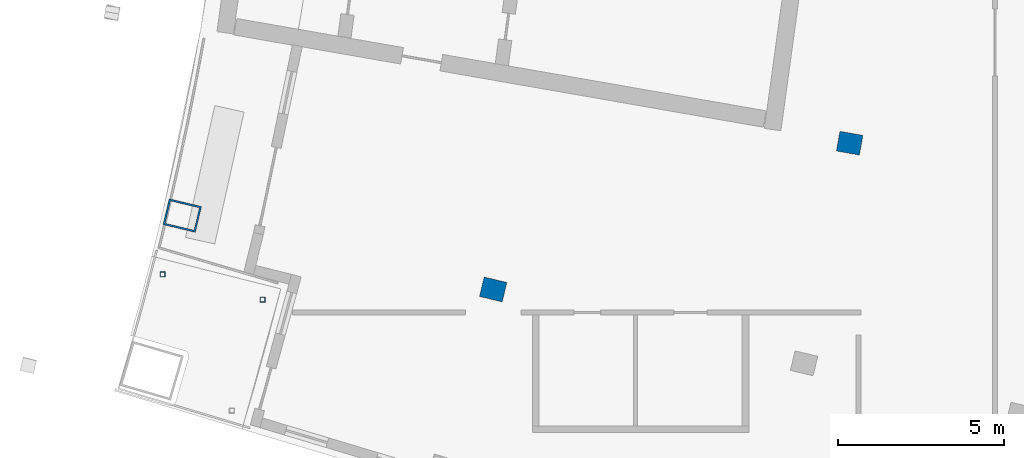
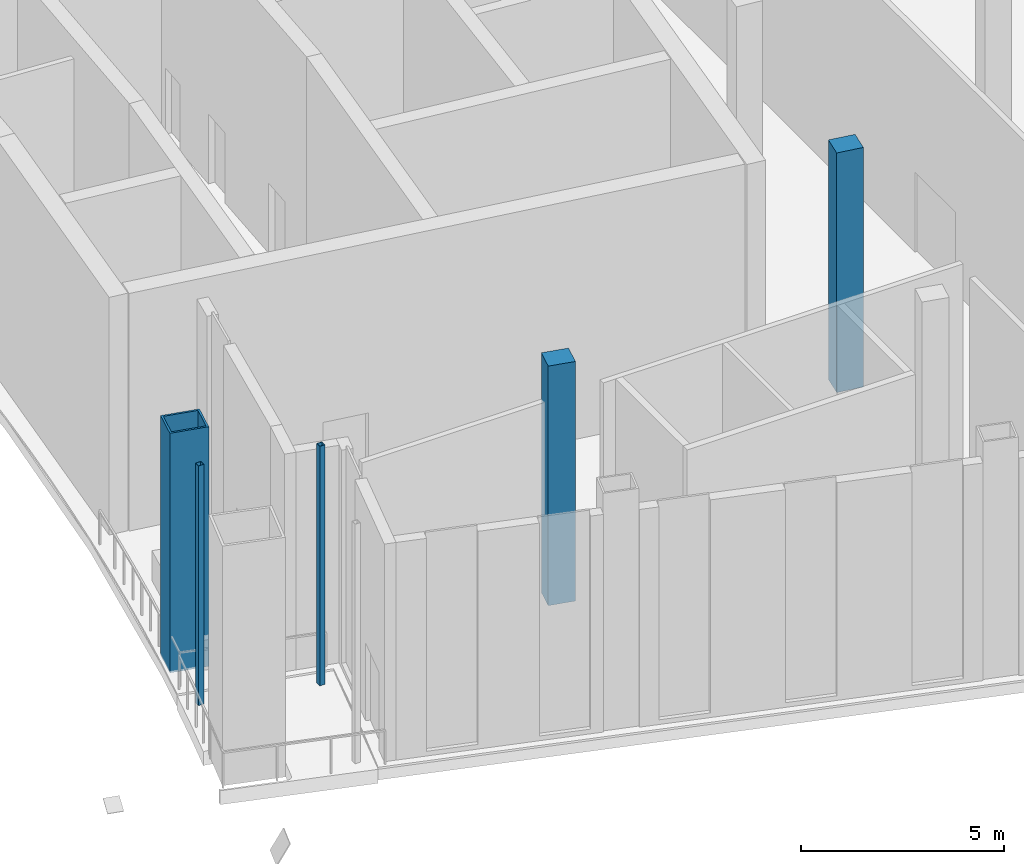
# One storey, part 3 of 25: 5 columns.
"""IFC4 building model written with IfcOpenShell, lengths in metres."""

import ifcopenshell
import ifcopenshell.guid

model = None  # the IFC model being written
_history = None  # IfcOwnerHistory: only IFC2X3 demands one
_inside = {}  # id of a spatial element -> (the spatial element, [elements in it])
_under = {}  # id of a project, library or spatial element -> (it, [spatial elements below it])
_declared = {}  # id of a project -> (the project, [libraries it declares])
_typed = {}  # id of a type object -> (the type object, [elements of that type])
_made_of = {}  # id of a material, layer set ... -> (it, [elements and type objects made of it])


def new_model(schema):
    """Start an empty IFC model of exactly this schema.

    Asked for "IFC4X3", IfcOpenShell would pick the latest addendum, in which some entities
    have other attributes; the version numbers below select the first issue.
    IFC2X3 requires an IfcOwnerHistory on every rooted entity: one is made here for all.
    """
    global model, _history
    if schema == "IFC4X3":
        model = ifcopenshell.file(schema_version=(4, 3, 0, 0))
    else:
        model = ifcopenshell.file(schema=schema)
    _inside.clear()
    _under.clear()
    _declared.clear()
    _typed.clear()
    _made_of.clear()
    _history = None
    if model.schema == "IFC2X3":
        org = make("IfcOrganization", Name="unknown")
        user = make(
            "IfcPersonAndOrganization",
            ThePerson=make("IfcPerson", FamilyName="unknown"),
            TheOrganization=org,
        )
        app = make(
            "IfcApplication",
            ApplicationDeveloper=org,
            Version="unknown",
            ApplicationFullName="unknown",
            ApplicationIdentifier="unknown",
        )
        _history = make(
            "IfcOwnerHistory",
            OwningUser=user,
            OwningApplication=app,
            ChangeAction="ADDED",
            CreationDate=0,
        )
    return model


def make(cls, **values):
    """One entity of the class cls with the attributes given. An attribute that is None is left unset."""
    return model.create_entity(
        cls, **{name: value for name, value in values.items() if value is not None}
    )


def rooted(cls, **values):
    """An entity with a GlobalId (a new one), such as an element, a storey or a relation."""
    return make(cls, GlobalId=ifcopenshell.guid.new(), OwnerHistory=_history, **values)


def si_unit(unit_type, name, prefix=None):
    """IfcSIUnit, for example si_unit("LENGTHUNIT", "METRE", prefix="MILLI")."""
    return make("IfcSIUnit", UnitType=unit_type, Prefix=prefix, Name=name)


def assignment(units):
    """IfcUnitAssignment: the units of a project."""
    return None if units is None else make("IfcUnitAssignment", Units=units)


def point(xyz):
    """IfcCartesianPoint."""
    return None if xyz is None else make("IfcCartesianPoint", Coordinates=xyz)


def direction(xyz):
    """IfcDirection."""
    return None if xyz is None else make("IfcDirection", DirectionRatios=xyz)


def frame(location, z_axis=None, x_axis=None):
    """IfcAxis2Placement3D, a coordinate frame: its origin and axes. An axis left out is left unset."""
    return make(
        "IfcAxis2Placement3D",
        Location=point(location),
        Axis=direction(z_axis),
        RefDirection=direction(x_axis),
    )


def frame_2d(location, x_axis=None):
    """IfcAxis2Placement2D, a coordinate frame in the plane: its origin and x axis."""
    return make(
        "IfcAxis2Placement2D", Location=point(location), RefDirection=direction(x_axis)
    )


def origin():
    """The frame at (0, 0, 0) with its axes left unset."""
    return frame((0.0, 0.0, 0.0))


def origin_2d():
    """The frame at (0, 0) in the plane with its x axis left unset."""
    return frame_2d((0.0, 0.0))


def place(relative_to, where):
    """IfcLocalPlacement: puts the frame where relative to a parent placement (None: the world)."""
    return make(
        "IfcLocalPlacement", PlacementRelTo=relative_to, RelativePlacement=where
    )


def context(
    kind, dimensions, precision=None, world=None, true_north=None, identifier=None
):
    """IfcGeometricRepresentationContext, for example the 3D "Model" context."""
    return make(
        "IfcGeometricRepresentationContext",
        ContextIdentifier=identifier,
        ContextType=kind,
        CoordinateSpaceDimension=dimensions,
        Precision=precision,
        WorldCoordinateSystem=world,
        TrueNorth=true_north,
    )


def subcontext(parent, identifier, kind, view, scale=None):
    """IfcGeometricRepresentationSubContext, for example "Body" below "Model"."""
    return make(
        "IfcGeometricRepresentationSubContext",
        ContextIdentifier=identifier,
        ContextType=kind,
        ParentContext=parent,
        TargetScale=scale,
        TargetView=view,
    )


def project(units=None, contexts=None):
    """IfcProject with its units and contexts."""
    return rooted(
        "IfcProject",
        Name="project",
        RepresentationContexts=contexts,
        UnitsInContext=assignment(units),
    )


def spatial(cls, under=None, at=None, **own):
    """A site, building, storey or space (cls), placed at a placement, below another one or the project."""
    s = rooted(cls, ObjectPlacement=at, **own)
    if under is not None:
        _under.setdefault(under.id(), (under, []))[1].append(s)
    return s


def profile(cls, at=None, kind="AREA", **sizes):
    """A parametric profile (cls). Its sizes go by their IFC names, for example OverallWidth=200.0."""
    return make(cls, ProfileType=kind, Position=at, **sizes)


def rectangle(**sizes):
    """IfcRectangleProfileDef."""
    return profile("IfcRectangleProfileDef", **sizes)


def hollow_rectangle(**sizes):
    """IfcRectangleHollowProfileDef."""
    return profile("IfcRectangleHollowProfileDef", **sizes)


def extrude(swept, where, along, depth):
    """IfcExtrudedAreaSolid: the profile swept, set in the frame where, extruded along a direction by depth."""
    return make(
        "IfcExtrudedAreaSolid",
        SweptArea=swept,
        Position=where,
        ExtrudedDirection=direction(along),
        Depth=depth,
    )


def shape(context_of_items, identifier, shape_type, items):
    """IfcShapeRepresentation: the items that make up one representation, for example the "Body"."""
    return make(
        "IfcShapeRepresentation",
        ContextOfItems=context_of_items,
        RepresentationIdentifier=identifier,
        RepresentationType=shape_type,
        Items=items,
    )


def material(Name=None, Category=None):
    """IfcMaterial."""
    return make("IfcMaterial", Name=Name, Category=Category)


def material_profile(
    of_material, cross_section, Name=None, Category=None, Priority=None
):
    """IfcMaterialProfile: a cross section and its material."""
    return make(
        "IfcMaterialProfile",
        Name=Name,
        Material=of_material,
        Profile=cross_section,
        Priority=Priority,
        Category=Category,
    )


def profile_set(profiles, Name=None, composite=None):
    """IfcMaterialProfileSet."""
    return make(
        "IfcMaterialProfileSet",
        Name=Name,
        MaterialProfiles=profiles,
        CompositeProfile=composite,
    )


def made_of(thing, what):
    """Note that an element or type object is made of a material, layer set ...; save() writes the relation."""
    if what is not None:
        _made_of.setdefault(what.id(), (what, []))[1].append(thing)
    return thing


def type_object(cls, material=None, **own):
    """A type object (cls), such as IfcWallType, which elements share."""
    return made_of(rooted(cls, **own), material)


def element(
    cls,
    number,
    at=None,
    inside=None,
    cuts=None,
    type_object=None,
    material=None,
    context=None,
    identifier="Body",
    shape_type=None,
    held_by="IfcProductDefinitionShape",
    body=None,
    shapes=None,
    **own,
):
    """One element of the class cls, such as IfcWall. Its Tag is "e" and its number.

    at: its placement. inside: the storey or other place that contains it. cuts: it is an
    opening in that element (IfcRelVoidsElement). A single representation is given by context,
    identifier, shape_type and body (its items); several are given by shapes. held_by: the class
    of the entity that holds the representations. save() writes the other relations.
    """
    e = rooted(cls, Tag="e%d" % number, ObjectPlacement=at, **own)
    if body is not None:
        shapes = [shape(context, identifier, shape_type, body)]
    if shapes is not None:
        e.Representation = make(held_by, Representations=shapes)
    if inside is not None:
        _inside.setdefault(inside.id(), (inside, []))[1].append(e)
    if cuts is not None:
        rooted(
            "IfcRelVoidsElement", RelatingBuildingElement=cuts, RelatedOpeningElement=e
        )
    if type_object is not None:
        _typed.setdefault(type_object.id(), (type_object, []))[1].append(e)
    return made_of(e, material)


def aggregate(whole, parts):
    """IfcRelAggregates: a whole, such as a stair, and the parts it consists of."""
    return rooted("IfcRelAggregates", RelatingObject=whole, RelatedObjects=parts)


def save(model, path):
    """Write the relations noted so far, then the file.

    IfcRelAggregates (storeys below a building ...), IfcRelContainedInSpatialStructure (elements
    in a storey), IfcRelDefinesByType, IfcRelAssociatesMaterial and IfcRelDeclares: one each for
    every whole, place, type object, material and project.
    """
    for whole, parts in _under.values():
        aggregate(whole, parts)
    for where, things in _inside.values():
        rooted(
            "IfcRelContainedInSpatialStructure",
            RelatedElements=things,
            RelatingStructure=where,
        )
    for kind, things in _typed.values():
        rooted("IfcRelDefinesByType", RelatedObjects=things, RelatingType=kind)
    for what, things in _made_of.values():
        rooted("IfcRelAssociatesMaterial", RelatedObjects=things, RelatingMaterial=what)
    for by, libraries in _declared.values():
        rooted("IfcRelDeclares", RelatingContext=by, RelatedDefinitions=libraries)
    model.write(path)


model = new_model("IFC4")

# Units and contexts
model_context = context("Model", 3, precision=1e-05, world=origin(), true_north=direction((0.0, 1.0)))
body_context = subcontext(model_context, "Body", "Model", "MODEL_VIEW")
ifc_project = project(units=[si_unit("LENGTHUNIT", "METRE"), si_unit("AREAUNIT", "SQUARE_METRE"), si_unit("VOLUMEUNIT", "CUBIC_METRE"), si_unit("PLANEANGLEUNIT", "RADIAN"), si_unit("MASSUNIT", "GRAM", prefix="KILO")], contexts=[model_context])

# Site, building, storey
site_placement = place(None, origin())
site = spatial("IfcSite", under=ifc_project, at=site_placement, CompositionType="ELEMENT")
building_placement = place(site_placement, origin())
building = spatial("IfcBuilding", under=site, at=building_placement, Name="Alderwake Tower", CompositionType="ELEMENT")
storey_placement = place(building_placement, frame((0.0, 0.0, 288.800048828125)))
storey = spatial("IfcBuildingStorey", under=building, at=storey_placement, Name="L72", CompositionType="ELEMENT", Elevation=288.800048828125)

# Columns
ifc_material_1 = material(Name="Concrete C70/85", Category="concrete")
ifc_material_profile_1 = material_profile(ifc_material_1, rectangle(XDim=0.60009765625, YDim=0.699951171875, at=origin_2d()), Name="RC 700X600")
ifc_profile_set_1 = profile_set([ifc_material_profile_1], Name="Concrete C70/85")
column_type_1 = type_object("IfcColumnType", Name="Interior column Z5", PredefinedType="COLUMN", material=ifc_profile_set_1)
for number, where, z_axis, x_axis, name in (
    (1, (23.322021484375, 36.444091796875, 0.0), (0.0, 0.0, 1.0), (0.231221547198, 0.972901123502, 0.0), "Column R03-C1"),
    (2, (34.03125, 40.83837890625, 0.0), (0.0, 0.0, 1.0), (0.174108800747, 0.984726421654, 0.0), "Column R04-C2"),
):
    element("IfcColumn", number, at=place(storey_placement, frame(where, z_axis=z_axis, x_axis=x_axis)), inside=storey, type_object=column_type_1, Name=name, PredefinedType="COLUMN", context=body_context, shape_type="SweptSolid", body=[
        extrude(rectangle(XDim=0.60009765625, YDim=0.699951171875, at=origin_2d()), origin(), (0.0, 0.0, 1.0), 7.199951171875),
    ])
ifc_material_2 = material(Name="Steel ASTM A500 Grade C", Category="steel")
ifc_material_profile_2 = material_profile(ifc_material_2, hollow_rectangle(XDim=0.15234375, YDim=0.15234375, WallThickness=0.0087890625, at=origin_2d()), Name="HSS6X6X3/8")
ifc_profile_set_2 = profile_set([ifc_material_profile_2], Name="Steel ASTM A500 Grade C")
column_type_2 = type_object("IfcColumnType", Name="Light post HSS6X6X3/8", PredefinedType="COLUMN", material=ifc_profile_set_2)
for number, where, z_axis, x_axis, name in (
    (3, (13.3896484375, 36.896484375, 0.0), (0.0, 0.0, 1.0), (1.0, 0.0, 0.0), "Terrace post RS1"),
    (4, (16.39501953125, 36.135986328125, 0.0), (0.0, 0.0, 1.0), (1.0, 0.0, 0.0), "Terrace post RS3"),
):
    element("IfcColumn", number, at=place(storey_placement, frame(where, z_axis=z_axis, x_axis=x_axis)), inside=storey, type_object=column_type_2, Name=name, PredefinedType="COLUMN", context=body_context, shape_type="SweptSolid", body=[
        extrude(hollow_rectangle(XDim=0.15234375, YDim=0.15234375, WallThickness=0.0087890625, at=origin_2d()), origin(), (0.0, 0.0, 1.0), 7.199951171875),
    ])
ifc_material_3 = material(Name="Steel ASTM A572 Grade 50 concrete filled C70/85", Category="concrete")
ifc_material_profile_3 = material_profile(ifc_material_3, hollow_rectangle(XDim=0.800048828125, YDim=1.0, WallThickness=0.054931640625, at=origin_2d()), Name="BOX 1000X800X55")
ifc_profile_set_3 = profile_set([ifc_material_profile_3], Name="Steel ASTM A572 Grade 50 concrete filled C70/85")
column_type_3 = type_object("IfcColumnType", Name="Perimeter column Z5", PredefinedType="COLUMN", material=ifc_profile_set_3)
column_placement = place(storey_placement, frame((13.982177734375, 38.6640625, 0.0), z_axis=(0.0, 0.0, 1.0), x_axis=(0.231221547198, 0.972901123502, 0.0)))
element("IfcColumn", 5, at=column_placement, inside=storey, type_object=column_type_3, Name="Column R03-C0", PredefinedType="COLUMN", context=body_context, shape_type="SweptSolid", body=[
    extrude(hollow_rectangle(XDim=0.800048828125, YDim=1.0, WallThickness=0.054931640625, at=origin_2d()), origin(), (0.0, 0.0, 1.0), 7.199951171875),
])

save(model, "model.ifc")
